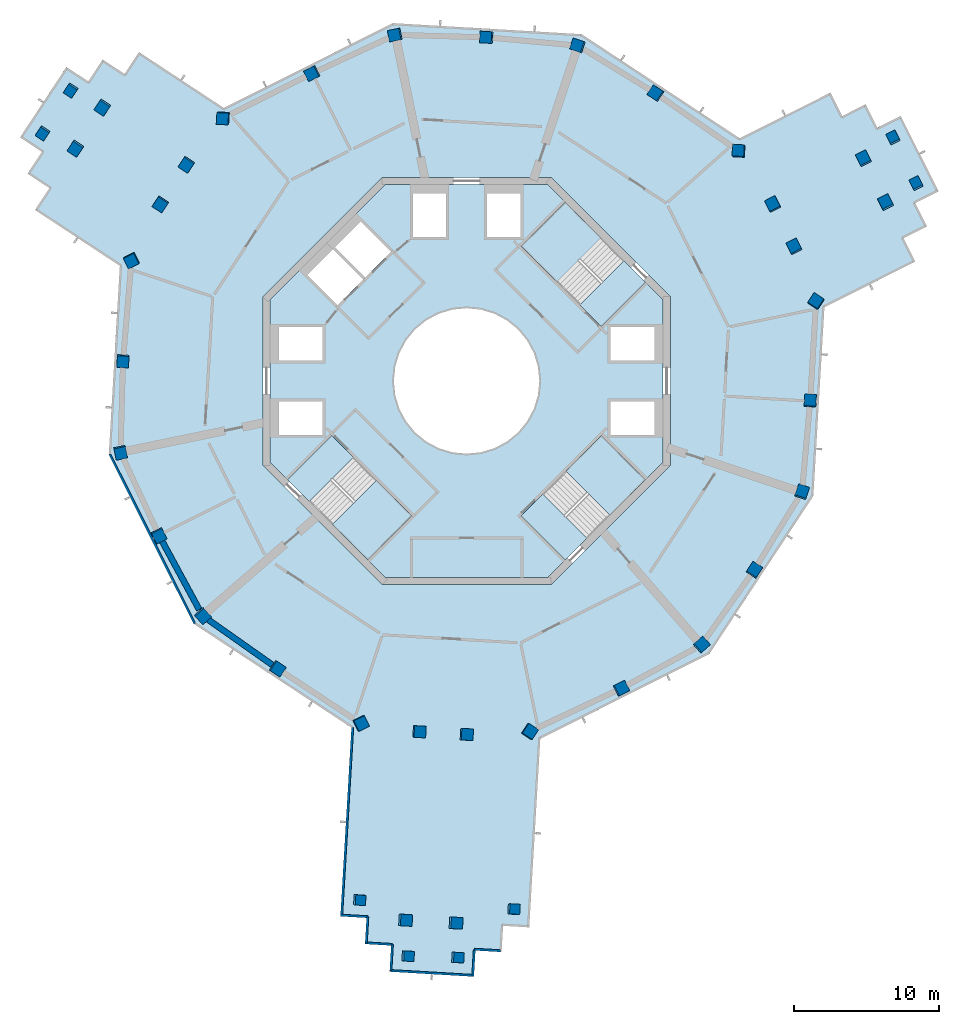
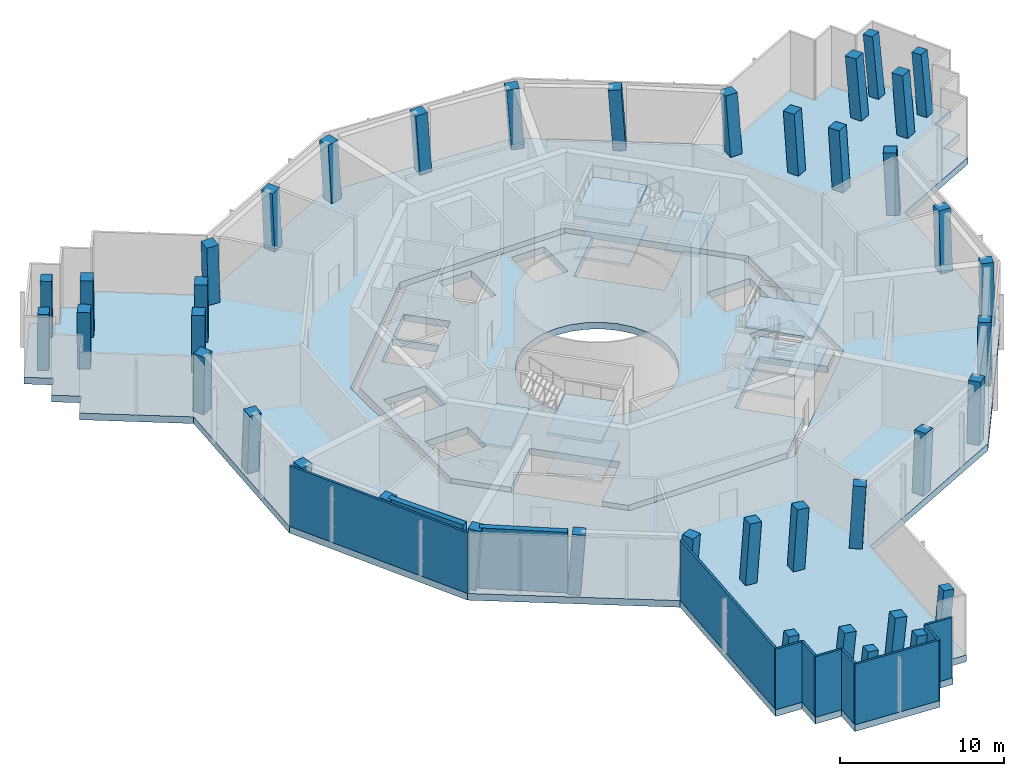
# One storey, part 1 of 16: 41 columns, 11 slabs, 11 walls, 3 elements without a shape of their own.
"""IFC4 building model written with IfcOpenShell, lengths in metres."""

from ifc_helpers import new_model, si_unit, direction, frame, frame_2d, origin, origin_2d, place, context, subcontext, project, spatial, polyline, rectangle, outline, extrude, material, layer, layer_set, material_profile, profile_set, type_object, element, aggregate, save


model = new_model("IFC4")

# Units and contexts
model_context = context("Model", 3, precision=1e-05, world=origin(), true_north=direction((0.0, 1.0)))
body_context = subcontext(model_context, "Body", "Model", "MODEL_VIEW")
ifc_project = project(units=[si_unit("LENGTHUNIT", "METRE"), si_unit("AREAUNIT", "SQUARE_METRE"), si_unit("VOLUMEUNIT", "CUBIC_METRE"), si_unit("PLANEANGLEUNIT", "RADIAN"), si_unit("MASSUNIT", "GRAM", prefix="KILO")], contexts=[model_context])

# Site, building, storey
site_placement = place(None, origin())
site = spatial("IfcSite", under=ifc_project, at=site_placement, CompositionType="ELEMENT")
building_placement = place(site_placement, origin())
building = spatial("IfcBuilding", under=site, at=building_placement, Name="Verdalira Terraces Hotel", CompositionType="ELEMENT")
storey_placement = place(building_placement, frame((0.0, 0.0, 263.0)))
storey = spatial("IfcBuildingStorey", under=building, at=storey_placement, Name="L65", CompositionType="ELEMENT", Elevation=263.0)

# Columns
ifc_material_1 = material(Name="Concrete C50", Category="concrete")
ifc_material_profile_1 = material_profile(ifc_material_1, rectangle(XDim=0.699951, YDim=0.699951, at=origin_2d()), Name="RC 700X700")
ifc_profile_set_1 = profile_set([ifc_material_profile_1], Name="Concrete C50")
column_type_1 = type_object("IfcColumnType", Name="Column RC 700X700 C50", PredefinedType="COLUMN", material=ifc_profile_set_1)
column_1_placement = place(storey_placement, frame((-7.40332, -35.670654, 0.0), z_axis=(0.099259849, -0.019754815, 0.994865433), x_axis=(-0.060181884, -0.998091831, -0.013814406)))
element("IfcColumn", 1, at=column_1_placement, inside=storey, type_object=column_type_1, Name="Column C08", PredefinedType="COLUMN", context=body_context, shape_type="SweptSolid", body=[
    extrude(rectangle(XDim=0.699951, YDim=0.699951, at=origin_2d()), origin(), (0.0, 0.0, 1.0), 4.523193),
])
for number, where, z_axis, x_axis, name in (
    (2, (-4.083984, -39.531738, 0.0), (0.109786281, -0.010460972, 0.993900166), (0.992200134, -0.058243588, -0.11021152), "Column C09"),
    (3, (-0.664062, -39.632324, 0.0), (0.110005331, -0.000970635, 0.993930523), (0.992174891, -0.059311044, -0.109868944), "Column C10"),
):
    element("IfcColumn", number, at=place(storey_placement, frame(where, z_axis=z_axis, x_axis=x_axis)), inside=storey, type_object=column_type_1, Name=name, PredefinedType="COLUMN", context=body_context, shape_type="SweptSolid", body=[
        extrude(rectangle(XDim=0.699951, YDim=0.699951, at=origin_2d()), origin(), (0.0, 0.0, 1.0), 4.527588),
    ])
column_2_placement = place(storey_placement, frame((3.197266, -36.312988, 0.0), z_axis=(0.100824248, 0.009715399, 0.994856815), x_axis=(0.057175493, 0.998243147, -0.015542946)))
element("IfcColumn", 4, at=column_2_placement, inside=storey, type_object=column_type_1, Name="Column C11", PredefinedType="COLUMN", context=body_context, shape_type="SweptSolid", body=[
    extrude(rectangle(XDim=0.699951, YDim=0.699951, at=origin_2d()), origin(), (0.0, 0.0, 1.0), 4.523193),
])
for number, where, z_axis, x_axis, name in (
    (5, (30.914551, 13.538818, 0.0), (-0.038350098, 0.085612543, 0.995590158), (-0.446743968, 0.889739629, -0.093718833), "Column C19"),
    (6, (29.336182, 16.685059, 0.0), (-0.047100192, 0.081183014, 0.995585702), (-0.446118248, 0.890057269, -0.093683333), "Column C20"),
    (7, (-27.182129, 20.003418, 0.0), (-0.054986281, -0.076051753, 0.995586581), (-0.547124252, -0.831784061, -0.093756752), "Column C28"),
    (8, (-29.11792, 17.063232, 0.0), (-0.046722307, -0.081345427, 0.995590251), (-0.547652044, -0.831450356, -0.093635159), "Column C29"),
):
    element("IfcColumn", number, at=place(storey_placement, frame(where, z_axis=z_axis, x_axis=x_axis)), inside=storey, type_object=column_type_1, Name=name, PredefinedType="COLUMN", context=body_context, shape_type="SweptSolid", body=[
        extrude(rectangle(XDim=0.699951, YDim=0.699951, at=origin_2d()), origin(), (0.0, 0.0, 1.0), 4.52002),
    ])
ifc_material_2 = material(Name="Concrete C50", Category="concrete")
ifc_material_profile_2 = material_profile(ifc_material_2, rectangle(XDim=0.800049, YDim=0.800049, at=origin_2d()), Name="RC 800X800")
ifc_profile_set_2 = profile_set([ifc_material_profile_2], Name="Concrete C50")
column_type_2 = type_object("IfcColumnType", Name="Column RC 800X800 C50", PredefinedType="COLUMN", material=ifc_profile_set_2)
column_3_placement = place(storey_placement, frame((-23.030518, 8.314453, 0.0), z_axis=(-0.022679221, -0.064357024, 0.997669197), x_axis=(-0.449308956, 0.892121569, 0.04733464)))
element("IfcColumn", 9, at=column_3_placement, inside=storey, type_object=column_type_2, Name="Column C01", PredefinedType="COLUMN", context=body_context, shape_type="SweptSolid", body=[
    extrude(rectangle(XDim=0.800049, YDim=0.800049, at=origin_2d()), origin(), (0.0, 0.0, 1.0), 4.510498),
])
column_4_placement = place(storey_placement, frame((-23.617676, 1.386719, 0.0), z_axis=(-0.003302254, -0.065882664, 0.997821913), x_axis=(-0.058334022, -0.996115464, -0.065963048)))
element("IfcColumn", 10, at=column_4_placement, inside=storey, type_object=column_type_2, Name="Column C02", PredefinedType="COLUMN", context=body_context, shape_type="SweptSolid", body=[
    extrude(rectangle(XDim=0.800049, YDim=0.800049, at=origin_2d()), origin(), (0.0, 0.0, 1.0), 4.509766),
])
column_5_placement = place(storey_placement, frame((-23.786377, -4.899902, 0.0), z_axis=(0.014181847, -0.066145867, 0.997709176), x_axis=(-0.20094066, 0.977264945, 0.067646713)))
element("IfcColumn", 11, at=column_5_placement, inside=storey, type_object=column_type_2, Name="Column C03", PredefinedType="COLUMN", context=body_context, shape_type="SweptSolid", body=[
    extrude(rectangle(XDim=0.800049, YDim=0.800049, at=origin_2d()), origin(), (0.0, 0.0, 1.0), 4.510254),
])
column_6_placement = place(storey_placement, frame((-21.146729, -10.60791, 0.0), z_axis=(0.03004517, -0.058682818, 0.997824441), x_axis=(0.447253105, -0.891974541, -0.065924798)))
element("IfcColumn", 12, at=column_6_placement, inside=storey, type_object=column_type_2, Name="Column C04", PredefinedType="COLUMN", context=body_context, shape_type="SweptSolid", body=[
    extrude(rectangle(XDim=0.800049, YDim=0.800049, at=origin_2d()), origin(), (0.0, 0.0, 1.0), 4.509766),
])
column_7_placement = place(storey_placement, frame((-18.149658, -16.136719, 0.0), z_axis=(0.045360282, -0.050177782, 0.997709695), x_axis=(-0.662810667, 0.745725805, 0.06763906)))
element("IfcColumn", 13, at=column_7_placement, inside=storey, type_object=column_type_2, Name="Column C05", PredefinedType="COLUMN", context=body_context, shape_type="SweptSolid", body=[
    extrude(rectangle(XDim=0.800049, YDim=0.800049, at=origin_2d()), origin(), (0.0, 0.0, 1.0), 4.510254),
])
column_8_placement = place(storey_placement, frame((-13.009766, -19.760254, 0.0), z_axis=(0.055380526, -0.035783507, 0.997823901), x_axis=(0.833509154, -0.548557504, -0.065932963)))
element("IfcColumn", 14, at=column_8_placement, inside=storey, type_object=column_type_2, Name="Column C06", PredefinedType="COLUMN", context=body_context, shape_type="SweptSolid", body=[
    extrude(rectangle(XDim=0.800049, YDim=0.800049, at=origin_2d()), origin(), (0.0, 0.0, 1.0), 4.509766),
])
column_9_placement = place(storey_placement, frame((-7.29126, -23.524902, 0.0), z_axis=(0.065708422, -0.019809953, 0.997642205), x_axis=(-0.445205998, 0.894189701, 0.047078641)))
element("IfcColumn", 15, at=column_9_placement, inside=storey, type_object=column_type_2, Name="Column C07", PredefinedType="COLUMN", context=body_context, shape_type="SweptSolid", body=[
    extrude(rectangle(XDim=0.800049, YDim=0.800049, at=origin_2d()), origin(), (0.0, 0.0, 1.0), 4.510742),
])
column_10_placement = place(storey_placement, frame((4.314697, -24.102295, 0.0), z_axis=(0.067063408, 0.012557474, 0.997669689), x_axis=(-0.547683429, -0.835345896, 0.047329645)))
element("IfcColumn", 16, at=column_10_placement, inside=storey, type_object=column_type_2, Name="Column C12", PredefinedType="COLUMN", context=body_context, shape_type="SweptSolid", body=[
    extrude(rectangle(XDim=0.800049, YDim=0.800049, at=origin_2d()), origin(), (0.0, 0.0, 1.0), 4.510498),
])
column_11_placement = place(storey_placement, frame((10.60791, -21.146729, 0.0), z_axis=(0.058682818, 0.03004517, 0.997824441), x_axis=(0.891974541, 0.447253105, -0.065924798)))
element("IfcColumn", 17, at=column_11_placement, inside=storey, type_object=column_type_2, Name="Column C13", PredefinedType="COLUMN", context=body_context, shape_type="SweptSolid", body=[
    extrude(rectangle(XDim=0.800049, YDim=0.800049, at=origin_2d()), origin(), (0.0, 0.0, 1.0), 4.509766),
])
column_12_placement = place(storey_placement, frame((16.136719, -18.149658, 0.0), z_axis=(0.050177782, 0.045360282, 0.997709695), x_axis=(-0.745725805, -0.662810667, 0.06763906)))
element("IfcColumn", 18, at=column_12_placement, inside=storey, type_object=column_type_2, Name="Column C14", PredefinedType="COLUMN", context=body_context, shape_type="SweptSolid", body=[
    extrude(rectangle(XDim=0.800049, YDim=0.800049, at=origin_2d()), origin(), (0.0, 0.0, 1.0), 4.510254),
])
column_13_placement = place(storey_placement, frame((19.760254, -13.009766, 0.0), z_axis=(0.035783507, 0.055380526, 0.997823901), x_axis=(0.548557504, 0.833509154, -0.065932963)))
element("IfcColumn", 19, at=column_13_placement, inside=storey, type_object=column_type_2, Name="Column C15", PredefinedType="COLUMN", context=body_context, shape_type="SweptSolid", body=[
    extrude(rectangle(XDim=0.800049, YDim=0.800049, at=origin_2d()), origin(), (0.0, 0.0, 1.0), 4.509766),
])
column_14_placement = place(storey_placement, frame((23.049561, -7.649658, 0.0), z_axis=(0.020785631, 0.064359674, 0.997710274), x_axis=(-0.314605933, -0.946810023, 0.067630523)))
element("IfcColumn", 20, at=column_14_placement, inside=storey, type_object=column_type_2, Name="Column C16", PredefinedType="COLUMN", context=body_context, shape_type="SweptSolid", body=[
    extrude(rectangle(XDim=0.800049, YDim=0.800049, at=origin_2d()), origin(), (0.0, 0.0, 1.0), 4.510254),
])
column_15_placement = place(storey_placement, frame((23.617676, -1.386719, 0.0), z_axis=(0.003302254, 0.065882664, 0.997821913), x_axis=(0.058334022, 0.996115464, -0.065963048)))
element("IfcColumn", 21, at=column_15_placement, inside=storey, type_object=column_type_2, Name="Column C17", PredefinedType="COLUMN", context=body_context, shape_type="SweptSolid", body=[
    extrude(rectangle(XDim=0.800049, YDim=0.800049, at=origin_2d()), origin(), (0.0, 0.0, 1.0), 4.509766),
])
column_16_placement = place(storey_placement, frame((24.018799, 5.447998, 0.0), z_axis=(-0.015696431, 0.066791021, 0.997643514), x_axis=(-0.551756667, -0.832676054, 0.047065583)))
element("IfcColumn", 22, at=column_16_placement, inside=storey, type_object=column_type_2, Name="Column C18", PredefinedType="COLUMN", context=body_context, shape_type="SweptSolid", body=[
    extrude(rectangle(XDim=0.800049, YDim=0.800049, at=origin_2d()), origin(), (0.0, 0.0, 1.0), 4.510742),
])
column_17_placement = place(storey_placement, frame((18.71582, 15.787842, 0.0), z_axis=(-0.044438242, 0.05179951, 0.997668308), x_axis=(0.997291806, -0.056281729, 0.047343652)))
element("IfcColumn", 23, at=column_17_placement, inside=storey, type_object=column_type_2, Name="Column C21", PredefinedType="COLUMN", context=body_context, shape_type="SweptSolid", body=[
    extrude(rectangle(XDim=0.800049, YDim=0.800049, at=origin_2d()), origin(), (0.0, 0.0, 1.0), 4.510498),
])
column_18_placement = place(storey_placement, frame((13.009766, 19.760254, 0.0), z_axis=(-0.055380526, 0.035783507, 0.997823901), x_axis=(-0.833509154, 0.548557504, -0.065932963)))
element("IfcColumn", 24, at=column_18_placement, inside=storey, type_object=column_type_2, Name="Column C22", PredefinedType="COLUMN", context=body_context, shape_type="SweptSolid", body=[
    extrude(rectangle(XDim=0.800049, YDim=0.800049, at=origin_2d()), origin(), (0.0, 0.0, 1.0), 4.509766),
])
column_19_placement = place(storey_placement, frame((7.649658, 23.049561, 0.0), z_axis=(-0.064359674, 0.020785631, 0.997710274), x_axis=(0.946810023, -0.314605933, 0.067630523)))
element("IfcColumn", 25, at=column_19_placement, inside=storey, type_object=column_type_2, Name="Column C23", PredefinedType="COLUMN", context=body_context, shape_type="SweptSolid", body=[
    extrude(rectangle(XDim=0.800049, YDim=0.800049, at=origin_2d()), origin(), (0.0, 0.0, 1.0), 4.510254),
])
column_20_placement = place(storey_placement, frame((1.386719, 23.617676, 0.0), z_axis=(-0.065882664, 0.003302254, 0.997821913), x_axis=(-0.996115464, 0.058334022, -0.065963048)))
element("IfcColumn", 26, at=column_20_placement, inside=storey, type_object=column_type_2, Name="Column C24", PredefinedType="COLUMN", context=body_context, shape_type="SweptSolid", body=[
    extrude(rectangle(XDim=0.800049, YDim=0.800049, at=origin_2d()), origin(), (0.0, 0.0, 1.0), 4.509766),
])
column_21_placement = place(storey_placement, frame((-4.899902, 23.786377, 0.0), z_axis=(-0.066145867, -0.014181847, 0.997709176), x_axis=(0.977264945, 0.20094066, 0.067646713)))
element("IfcColumn", 27, at=column_21_placement, inside=storey, type_object=column_type_2, Name="Column C25", PredefinedType="COLUMN", context=body_context, shape_type="SweptSolid", body=[
    extrude(rectangle(XDim=0.800049, YDim=0.800049, at=origin_2d()), origin(), (0.0, 0.0, 1.0), 4.510254),
])
column_22_placement = place(storey_placement, frame((-10.60791, 21.146729, 0.0), z_axis=(-0.058682818, -0.03004517, 0.997824441), x_axis=(-0.891974541, -0.447253105, -0.065924798)))
element("IfcColumn", 28, at=column_22_placement, inside=storey, type_object=column_type_2, Name="Column C26", PredefinedType="COLUMN", context=body_context, shape_type="SweptSolid", body=[
    extrude(rectangle(XDim=0.800049, YDim=0.800049, at=origin_2d()), origin(), (0.0, 0.0, 1.0), 4.509766),
])
for number, where, z_axis, x_axis, name in (
    (29, (-16.727539, 18.076904, 0.0), (-0.049958062, -0.046981146, 0.997645711), (0.997015245, -0.061216775, 0.047043669), "Column C27"),
    (30, (-19.240479, 14.890137, 0.0), (-0.041029524, -0.053966274, 0.997699463), (-0.835158381, 0.549990324, -0.004595795), "Column C30"),
):
    element("IfcColumn", number, at=place(storey_placement, frame(where, z_axis=z_axis, x_axis=x_axis)), inside=storey, type_object=column_type_2, Name=name, PredefinedType="COLUMN", context=body_context, shape_type="SweptSolid", body=[
        extrude(rectangle(XDim=0.800049, YDim=0.800049, at=origin_2d()), origin(), (0.0, 0.0, 1.0), 4.510498),
    ])
column_23_placement = place(storey_placement, frame((-21.03125, 12.17041, 0.0), z_axis=(-0.033397586, -0.058892339, 0.997705514), x_axis=(-0.835578165, 0.5493535, 0.004456645)))
element("IfcColumn", 31, at=column_23_placement, inside=storey, type_object=column_type_2, Name="Column C31", PredefinedType="COLUMN", context=body_context, shape_type="SweptSolid", body=[
    extrude(rectangle(XDim=0.800049, YDim=0.800049, at=origin_2d()), origin(), (0.0, 0.0, 1.0), 4.510254),
])
for number, where, z_axis, x_axis, name in (
    (32, (-25.01001, 18.828857, 0.0), (-0.051831377, -0.069991275, 0.996200145), (-0.834733834, 0.550633201, -0.00474391), "Column C32"),
    (33, (-26.865234, 16.01123, 0.0), (-0.04394088, -0.075072427, 0.996209481), (-0.8351874, 0.549946185, 0.004604378), "Column C33"),
):
    element("IfcColumn", number, at=place(storey_placement, frame(where, z_axis=z_axis, x_axis=x_axis)), inside=storey, type_object=column_type_2, Name=name, PredefinedType="COLUMN", context=body_context, shape_type="SweptSolid", body=[
        extrude(rectangle(XDim=0.800049, YDim=0.800049, at=origin_2d()), origin(), (0.0, 0.0, 1.0), 4.51709),
    ])
for number, where, z_axis, x_axis, name in (
    (34, (-3.274902, -24.10791, 0.0), (0.067227899, -0.008552341, 0.997700991), (-0.058810987, -0.998258564, -0.004594271), "Column C34"),
    (35, (-0.02417, -24.298584, 0.0), (0.0677153, 0.00048716, 0.997704566), (-0.058495076, -0.998277745, 0.004457565), "Column C35"),
):
    element("IfcColumn", number, at=place(storey_placement, frame(where, z_axis=z_axis, x_axis=x_axis)), inside=storey, type_object=column_type_2, Name=name, PredefinedType="COLUMN", context=body_context, shape_type="SweptSolid", body=[
        extrude(rectangle(XDim=0.800049, YDim=0.800049, at=origin_2d()), origin(), (0.0, 0.0, 1.0), 4.510254),
    ])
for number, where, z_axis, x_axis, name in (
    (36, (-4.253174, -37.057617, 0.0), (0.103012644, -0.010954199, 0.994619727), (-0.059159279, -0.998236692, -0.004866915), "Column C36"),
    (37, (-0.785156, -37.26123, 0.0), (0.103499231, -0.001295089, 0.99462869), (-0.057939048, -0.998308921, 0.004729149), "Column C37"),
):
    element("IfcColumn", number, at=place(storey_placement, frame(where, z_axis=z_axis, x_axis=x_axis)), inside=storey, type_object=column_type_2, Name=name, PredefinedType="COLUMN", context=body_context, shape_type="SweptSolid", body=[
        extrude(rectangle(XDim=0.800049, YDim=0.800049, at=origin_2d()), origin(), (0.0, 0.0, 1.0), 4.524414),
    ])
for number, where, z_axis, x_axis, name in (
    (38, (22.515381, 9.217773, 0.0), (-0.026198371, 0.062464712, 0.997703265), (0.893894598, 0.448253679, -0.004592001), "Column C38"),
    (39, (21.05542, 12.128418, 0.0), (-0.034317798, 0.058351083, 0.997706089), (0.893399905, 0.449240195, 0.004456088), "Column C39"),
):
    element("IfcColumn", number, at=place(storey_placement, frame(where, z_axis=z_axis, x_axis=x_axis)), inside=storey, type_object=column_type_2, Name=name, PredefinedType="COLUMN", context=body_context, shape_type="SweptSolid", body=[
        extrude(rectangle(XDim=0.800049, YDim=0.800049, at=origin_2d()), origin(), (0.0, 0.0, 1.0), 4.510254),
    ])
for number, where, z_axis, x_axis, name in (
    (40, (28.811279, 12.245117, 0.0), (-0.034752512, 0.079828089, 0.99620266), (0.893862067, 0.448316982, -0.004742343), "Column C40"),
    (41, (27.298584, 15.260254, 0.0), (-0.043075982, 0.075612671, 0.996206396), (0.893776094, 0.448489773, 0.004606248), "Column C41"),
):
    element("IfcColumn", number, at=place(storey_placement, frame(where, z_axis=z_axis, x_axis=x_axis)), inside=storey, type_object=column_type_2, Name=name, PredefinedType="COLUMN", context=body_context, shape_type="SweptSolid", body=[
        extrude(rectangle(XDim=0.800049, YDim=0.800049, at=origin_2d()), origin(), (0.0, 0.0, 1.0), 4.51709),
    ])

# Slab
ifc_material_3 = material(Name="Concrete C40", Category="concrete")
ifc_layer_1 = layer(ifc_material_3, 0.5)
ifc_layer_set_1 = layer_set([ifc_layer_1], Name="Core floor slab 500 mm")
slab_type_1 = type_object("IfcSlabType", Name="Core floor slab 500 mm", PredefinedType="FLOOR", material=ifc_layer_set_1)
slab_1_placement = place(storey_placement, frame((0.0, 0.0, -0.5)))
element("IfcSlab", 42, at=slab_1_placement, inside=storey, type_object=slab_type_1, Name="L65 core floor", PredefinedType="FLOOR", context=body_context, shape_type="SweptSolid", body=[
    extrude(outline(polyline([(-6.77417, -12.317871), (-3.719482, -9.263184), (-7.763672, -5.21875), (-10.818359, -8.273438), (-13.5, -5.591797), (-13.5, 5.591797), (-5.591797, 13.5), (5.591797, 13.5), (6.77417, 12.317871), (3.719482, 9.263184), (7.763672, 5.21875), (10.818359, 8.273438), (13.5, 5.591797), (13.5, -5.591797), (12.317871, -6.77417), (9.263184, -3.719482), (5.21875, -7.763672), (8.273438, -10.818359), (5.591797, -13.5), (-5.591797, -13.5), (-6.77417, -12.317871)]), holes=[polyline([(9.899902, -1.399902), (9.899902, -3.699951), (12.899902, -3.699951), (12.899902, -1.399902), (9.899902, -1.399902)]), polyline([(9.899902, 3.699951), (9.899902, 1.399902), (12.899902, 1.399902), (12.899902, 3.699951), (9.899902, 3.699951)]), polyline([(3.699951, 12.899902), (1.399902, 12.899902), (1.399902, 9.899902), (3.699951, 9.899902), (3.699951, 12.899902)]), polyline([(-1.399902, 12.899902), (-3.699951, 12.899902), (-3.699951, 9.899902), (-1.399902, 9.899902), (-1.399902, 12.899902)]), polyline([(-9.899902, 1.399902), (-9.899902, 3.699951), (-12.899902, 3.699951), (-12.899902, 1.399902), (-9.899902, 1.399902)]), polyline([(-9.899902, -3.699951), (-9.899902, -1.399902), (-12.899902, -1.399902), (-12.899902, -3.699951), (-9.899902, -3.699951)]), polyline([(-9.051025, 9.192383), (-6.965088, 7.106445), (-5.197266, 8.874268), (-7.283203, 10.960205), (-9.051025, 9.192383)]), polyline([(-9.192383, 9.051025), (-10.960205, 7.283203), (-8.874268, 5.197266), (-7.106445, 6.965088), (-9.192383, 9.051025)]), polyline([(3.5354, 3.5354), (2.777832, 4.157227), (1.91333, 4.619385), (0.975586, 4.903809), (0.0, 5.0), (-0.975586, 4.903809), (-1.91333, 4.619385), (-2.777832, 4.157227), (-3.5354, 3.5354), (-4.157227, 2.777832), (-4.619385, 1.91333), (-4.903809, 0.975586), (-5.0, 0.0), (-4.903809, -0.975586), (-4.619385, -1.91333), (-4.157227, -2.777832), (-3.5354, -3.5354), (-2.777832, -4.157227), (-1.91333, -4.619385), (-0.975586, -4.903809), (0.0, -5.0), (0.975586, -4.903809), (1.91333, -4.619385), (2.777832, -4.157227), (3.5354, -3.5354), (4.157227, -2.777832), (4.619385, -1.91333), (4.903809, -0.975586), (5.0, 0.0), (4.903809, 0.975586), (4.619385, 1.91333), (4.157227, 2.777832), (3.5354, 3.5354)])]), origin(), (0.0, 0.0, 1.0), 0.5),
])

# Stair, slabs
ifc_material_4 = material(Name="Concrete C40", Category="concrete")
stair_type = type_object("IfcStairType", Name="Core stair 36 risers 2100 mm wide", PredefinedType="HALF_TURN_STAIR", material=ifc_material_4)
stair_1_placement = place(storey_placement, origin())
stair_1 = element("IfcStair", 43, at=stair_1_placement, inside=storey, type_object=stair_type, Name="L65 Exit stair ST1", PredefinedType="HALF_TURN_STAIR")
ifc_material_5 = material(Name="Concrete C40", Category="concrete")
ifc_layer_2 = layer(ifc_material_5, 0.199951171875)
ifc_layer_set_2 = layer_set([ifc_layer_2], Name="Core stair landing 200 mm")
slab_type_2 = type_object("IfcSlabType", Name="Core stair landing 200 mm", PredefinedType="LANDING", material=ifc_layer_set_2)
slab_2_placement = place(storey_placement, frame((0.0, 0.0, 1.300049)))
slab_2 = element("IfcSlab", 44, at=slab_2_placement, type_object=slab_type_2, Name="ST1 landing 1", PredefinedType="LANDING", context=body_context, shape_type="SweptSolid", body=[
    extrude(outline(polyline([(9.235107, 9.856689), (6.78833, 12.303711), (3.747559, 9.263184), (6.19458, 6.816162), (9.235107, 9.856689)])), origin(), (0.0, 0.0, 1.0), 0.199951),
])
slab_3_placement = place(storey_placement, frame((0.0, 0.0, 2.800049)))
slab_3 = element("IfcSlab", 45, at=slab_3_placement, type_object=slab_type_2, Name="ST1 landing 2", PredefinedType="LANDING", context=body_context, shape_type="SweptSolid", body=[
    extrude(outline(polyline([(12.303711, 6.78833), (10.818359, 8.273438), (7.777832, 5.23291), (9.263184, 3.747559), (12.303711, 6.78833)])), origin(), (0.0, 0.0, 1.0), 0.199951),
])
slab_4_placement = place(storey_placement, frame((0.0, 0.0, 4.300049)))
slab_4 = element("IfcSlab", 46, at=slab_4_placement, type_object=slab_type_2, Name="ST1 landing 3", PredefinedType="LANDING", context=body_context, shape_type="SweptSolid", body=[
    extrude(outline(polyline([(9.235107, 9.856689), (6.78833, 12.303711), (3.747559, 9.263184), (6.19458, 6.816162), (9.235107, 9.856689)])), origin(), (0.0, 0.0, 1.0), 0.199951),
])
aggregate(stair_1, [slab_2, slab_3, slab_4])

stair_2_placement = place(storey_placement, origin())
stair_2 = element("IfcStair", 47, at=stair_2_placement, inside=storey, type_object=stair_type, Name="L65 Exit stair ST2", PredefinedType="HALF_TURN_STAIR")
slab_5_placement = place(storey_placement, frame((0.0, 0.0, 1.300049)))
slab_5 = element("IfcSlab", 48, at=slab_5_placement, type_object=slab_type_2, Name="ST2 landing 1", PredefinedType="LANDING", context=body_context, shape_type="SweptSolid", body=[
    extrude(outline(polyline([(-9.235107, -9.856689), (-6.78833, -12.303711), (-3.747559, -9.263184), (-6.19458, -6.816162), (-9.235107, -9.856689)])), origin(), (0.0, 0.0, 1.0), 0.199951),
])
slab_6_placement = place(storey_placement, frame((0.0, 0.0, 2.800049)))
slab_6 = element("IfcSlab", 49, at=slab_6_placement, type_object=slab_type_2, Name="ST2 landing 2", PredefinedType="LANDING", context=body_context, shape_type="SweptSolid", body=[
    extrude(outline(polyline([(-12.303711, -6.78833), (-10.818359, -8.273438), (-7.777832, -5.23291), (-9.263184, -3.747559), (-12.303711, -6.78833)])), origin(), (0.0, 0.0, 1.0), 0.199951),
])
slab_7_placement = place(storey_placement, frame((0.0, 0.0, 4.300049)))
slab_7 = element("IfcSlab", 50, at=slab_7_placement, type_object=slab_type_2, Name="ST2 landing 3", PredefinedType="LANDING", context=body_context, shape_type="SweptSolid", body=[
    extrude(outline(polyline([(-9.235107, -9.856689), (-6.78833, -12.303711), (-3.747559, -9.263184), (-6.19458, -6.816162), (-9.235107, -9.856689)])), origin(), (0.0, 0.0, 1.0), 0.199951),
])
aggregate(stair_2, [slab_5, slab_6, slab_7])

stair_3_placement = place(storey_placement, origin())
stair_3 = element("IfcStair", 51, at=stair_3_placement, inside=storey, type_object=stair_type, Name="L65 Exit stair ST3", PredefinedType="HALF_TURN_STAIR")
slab_8_placement = place(storey_placement, frame((0.0, 0.0, 1.300049)))
slab_8 = element("IfcSlab", 52, at=slab_8_placement, type_object=slab_type_2, Name="ST3 landing 1", PredefinedType="LANDING", context=body_context, shape_type="SweptSolid", body=[
    extrude(outline(polyline([(9.856689, -9.235107), (12.303711, -6.78833), (9.263184, -3.747559), (6.816162, -6.19458), (9.856689, -9.235107)])), origin(), (0.0, 0.0, 1.0), 0.199951),
])
slab_9_placement = place(storey_placement, frame((0.0, 0.0, 2.800049)))
slab_9 = element("IfcSlab", 53, at=slab_9_placement, type_object=slab_type_2, Name="ST3 landing 2", PredefinedType="LANDING", context=body_context, shape_type="SweptSolid", body=[
    extrude(outline(polyline([(6.78833, -12.303711), (8.273438, -10.818359), (5.23291, -7.777832), (3.747559, -9.263184), (6.78833, -12.303711)])), origin(), (0.0, 0.0, 1.0), 0.199951),
])
slab_10_placement = place(storey_placement, frame((0.0, 0.0, 4.300049)))
slab_10 = element("IfcSlab", 54, at=slab_10_placement, type_object=slab_type_2, Name="ST3 landing 3", PredefinedType="LANDING", context=body_context, shape_type="SweptSolid", body=[
    extrude(outline(polyline([(9.856689, -9.235107), (12.303711, -6.78833), (9.263184, -3.747559), (6.816162, -6.19458), (9.856689, -9.235107)])), origin(), (0.0, 0.0, 1.0), 0.199951),
])
aggregate(stair_3, [slab_8, slab_9, slab_10])

# Slab
ifc_material_6 = material(Name="Concrete C40", Category="concrete")
ifc_layer_3 = layer(ifc_material_6, 0.5)
ifc_layer_set_3 = layer_set([ifc_layer_3], Name="Plant floor slab 500 C40")
slab_type_3 = type_object("IfcSlabType", Name="Plant floor slab 500 C40", PredefinedType="FLOOR", material=ifc_layer_set_3)
slab_11_placement = place(storey_placement, frame((0.0, 0.0, -0.5)))
element("IfcSlab", 55, at=slab_11_placement, inside=storey, type_object=slab_type_3, Name="Plant floor slab L65", PredefinedType="FLOOR", context=body_context, shape_type="SweptSolid", body=[
    extrude(outline(polyline([(-5.067139, 24.597656), (-16.687012, 18.768555), (-22.520996, 22.609619), (-23.510742, 21.106201), (-25.01416, 22.095947), (-26.003906, 20.592529), (-27.507568, 21.58252), (-30.697021, 16.738037), (-29.193604, 15.748291), (-30.18335, 14.244873), (-28.679688, 13.254883), (-29.669678, 11.751709), (-23.835693, 7.910645), (-24.597656, -5.067139), (-18.768555, -16.687012), (-7.910645, -23.835693), (-8.671631, -36.798096), (-6.874756, -36.903809), (-6.980225, -38.700684), (-5.18335, -38.806152), (-5.288818, -40.603027), (0.501221, -40.943115), (0.606689, -39.145996), (2.403564, -39.251709), (2.509033, -37.45459), (4.305908, -37.560303), (5.067139, -24.597656), (16.687012, -18.768555), (23.835693, -7.910645), (24.597656, 5.067139), (30.841064, 8.198975), (30.033936, 9.807861), (31.642822, 10.61499), (30.835693, 12.223877), (32.44458, 13.031006), (29.843994, 18.215332), (28.235107, 17.408203), (27.427979, 19.01709), (25.819092, 18.209961), (25.011963, 19.818848), (18.768555, 16.687012), (7.910645, 23.835693), (-5.067139, 24.597656)]), holes=[polyline([(5.799072, 14.0), (14.0, 5.799072), (14.0, -5.799072), (5.799072, -14.0), (-5.799072, -14.0), (-14.0, -5.799072), (-14.0, 5.799072), (-5.799072, 14.0), (5.799072, 14.0)])]), origin(), (0.0, 0.0, 1.0), 0.5),
])

# Walls
ifc_material_7 = material(Name="Concrete C70", Category="concrete")
ifc_layer_4 = layer(ifc_material_7, 0.39990234375)
ifc_layer_set_4 = layer_set([ifc_layer_4], Name="Belt wall 400 C70")
wall_type_1 = type_object("IfcWallType", Name="Belt wall 400 C70", PredefinedType="SHEAR", material=ifc_layer_set_4)
wall_1_placement = place(storey_placement, frame((-20.950195, -10.970703, 0.0), z_axis=(0.0, 0.0, 1.0), x_axis=(0.476596513, -0.879122155, 0.0)))
element("IfcWall", 56, at=wall_1_placement, inside=storey, type_object=wall_type_1, Name="Belt wall BW-65-4", PredefinedType="SHEAR", context=body_context, shape_type="SweptSolid", body=[
    extrude(rectangle(XDim=5.395508, YDim=0.399902, at=frame_2d((2.697754, 0.0))), origin(), (0.0, 0.0, 1.0), 4.5),
])
wall_2_placement = place(storey_placement, frame((-17.756836, -16.413574, 0.0), z_axis=(0.0, 0.0, 1.0), x_axis=(0.817331344, -0.576167922, 0.0)))
element("IfcWall", 57, at=wall_2_placement, inside=storey, type_object=wall_type_1, Name="Belt wall BW-65-5", PredefinedType="SHEAR", context=body_context, shape_type="SweptSolid", body=[
    extrude(rectangle(XDim=5.395752, YDim=0.399902, at=frame_2d((2.697754, 0.0))), origin(), (0.0, 0.0, 1.0), 4.5),
])
ifc_material_8 = material(Name="Terracotta cladding", Category="masonry")
ifc_layer_5 = layer(ifc_material_8, 0.14990234375)
ifc_layer_set_5 = layer_set([ifc_layer_5], Name="Terracotta clad wall 150")
wall_type_2 = type_object("IfcWallType", Name="Terracotta clad wall 150", PredefinedType="SOLIDWALL", material=ifc_layer_set_5)
wall_3_placement = place(storey_placement, frame((-24.530518, -5.033447, 0.0), z_axis=(0.0, 0.0, 1.0), x_axis=(0.448374471, -0.893845811, 0.0)))
element("IfcWall", 58, at=wall_3_placement, inside=storey, type_object=wall_type_2, Name="Terracotta cladding wall", PredefinedType="SOLIDWALL", context=body_context, shape_type="SweptSolid", body=[
    extrude(rectangle(XDim=13.034912, YDim=0.149902, at=frame_2d((6.517578, 0.0))), origin(), (0.0, 0.0, 1.0), 4.5),
])
wall_4_placement = place(storey_placement, frame((-7.834961, -23.828369, 0.0), z_axis=(0.0, 0.0, 1.0), x_axis=(-0.058609049, -0.998281012, 0.0)))
element("IfcWall", 59, at=wall_4_placement, inside=storey, type_object=wall_type_2, Name="Terracotta cladding wall", PredefinedType="SOLIDWALL", context=body_context, shape_type="SweptSolid", body=[
    extrude(rectangle(XDim=12.921631, YDim=0.149902, at=frame_2d((6.460938, 0.0))), origin(), (0.0, 0.0, 1.0), 4.5),
])
wall_5_placement = place(storey_placement, frame((-8.667236, -36.723389, 0.0), z_axis=(0.0, 0.0, 1.0), x_axis=(0.998281997, -0.058592265, 0.0)))
element("IfcWall", 60, at=wall_5_placement, inside=storey, type_object=wall_type_2, Name="Terracotta cladding wall", PredefinedType="SOLIDWALL", context=body_context, shape_type="SweptSolid", body=[
    extrude(rectangle(XDim=1.875, YDim=0.149902, at=frame_2d((0.9375, 0.0))), origin(), (0.0, 0.0, 1.0), 4.5),
])
wall_6_placement = place(storey_placement, frame((-6.79541, -36.833252, 0.0), z_axis=(0.0, 0.0, 1.0), x_axis=(-0.058594804, -0.998281848, 0.0)))
element("IfcWall", 61, at=wall_6_placement, inside=storey, type_object=wall_type_2, Name="Terracotta cladding wall", PredefinedType="SOLIDWALL", context=body_context, shape_type="SweptSolid", body=[
    extrude(rectangle(XDim=1.800049, YDim=0.149902, at=frame_2d((0.899902, 0.0))), origin(), (0.0, 0.0, 1.0), 4.5),
])
wall_7_placement = place(storey_placement, frame((-6.97583, -38.625732, 0.0), z_axis=(0.0, 0.0, 1.0), x_axis=(0.998281997, -0.058592265, 0.0)))
element("IfcWall", 62, at=wall_7_placement, inside=storey, type_object=wall_type_2, Name="Terracotta cladding wall", PredefinedType="SOLIDWALL", context=body_context, shape_type="SweptSolid", body=[
    extrude(rectangle(XDim=1.875, YDim=0.149902, at=frame_2d((0.9375, 0.0))), origin(), (0.0, 0.0, 1.0), 4.5),
])
wall_8_placement = place(storey_placement, frame((-5.104004, -38.735596, 0.0), z_axis=(0.0, 0.0, 1.0), x_axis=(-0.058594804, -0.998281848, 0.0)))
element("IfcWall", 63, at=wall_8_placement, inside=storey, type_object=wall_type_2, Name="Terracotta cladding wall", PredefinedType="SOLIDWALL", context=body_context, shape_type="SweptSolid", body=[
    extrude(rectangle(XDim=1.800049, YDim=0.149902, at=frame_2d((0.899902, 0.0))), origin(), (0.0, 0.0, 1.0), 4.5),
])
wall_9_placement = place(storey_placement, frame((-5.284424, -40.528076, 0.0), z_axis=(0.0, 0.0, 1.0), x_axis=(0.998279369, -0.058637026, 0.0)))
element("IfcWall", 64, at=wall_9_placement, inside=storey, type_object=wall_type_2, Name="Terracotta cladding wall", PredefinedType="SOLIDWALL", context=body_context, shape_type="SweptSolid", body=[
    extrude(rectangle(XDim=5.724854, YDim=0.149902, at=frame_2d((2.862305, 0.0))), origin(), (0.0, 0.0, 1.0), 4.5),
])
wall_10_placement = place(storey_placement, frame((0.42627, -40.938477, 0.0), z_axis=(0.0, 0.0, 1.0), x_axis=(0.058599882, 0.99828155, 0.0)))
element("IfcWall", 65, at=wall_10_placement, inside=storey, type_object=wall_type_2, Name="Terracotta cladding wall", PredefinedType="SOLIDWALL", context=body_context, shape_type="SweptSolid", body=[
    extrude(rectangle(XDim=1.874756, YDim=0.149902, at=frame_2d((0.9375, 0.0))), origin(), (0.0, 0.0, 1.0), 4.5),
])
wall_11_placement = place(storey_placement, frame((0.536133, -39.066895, 0.0), z_axis=(0.0, 0.0, 1.0), x_axis=(0.998282314, -0.058586871, 0.0)))
element("IfcWall", 66, at=wall_11_placement, inside=storey, type_object=wall_type_2, Name="Terracotta cladding wall", PredefinedType="SOLIDWALL", context=body_context, shape_type="SweptSolid", body=[
    extrude(rectangle(XDim=1.800293, YDim=0.149902, at=frame_2d((0.900146, 0.0))), origin(), (0.0, 0.0, 1.0), 4.5),
])

save(model, "model.ifc")
